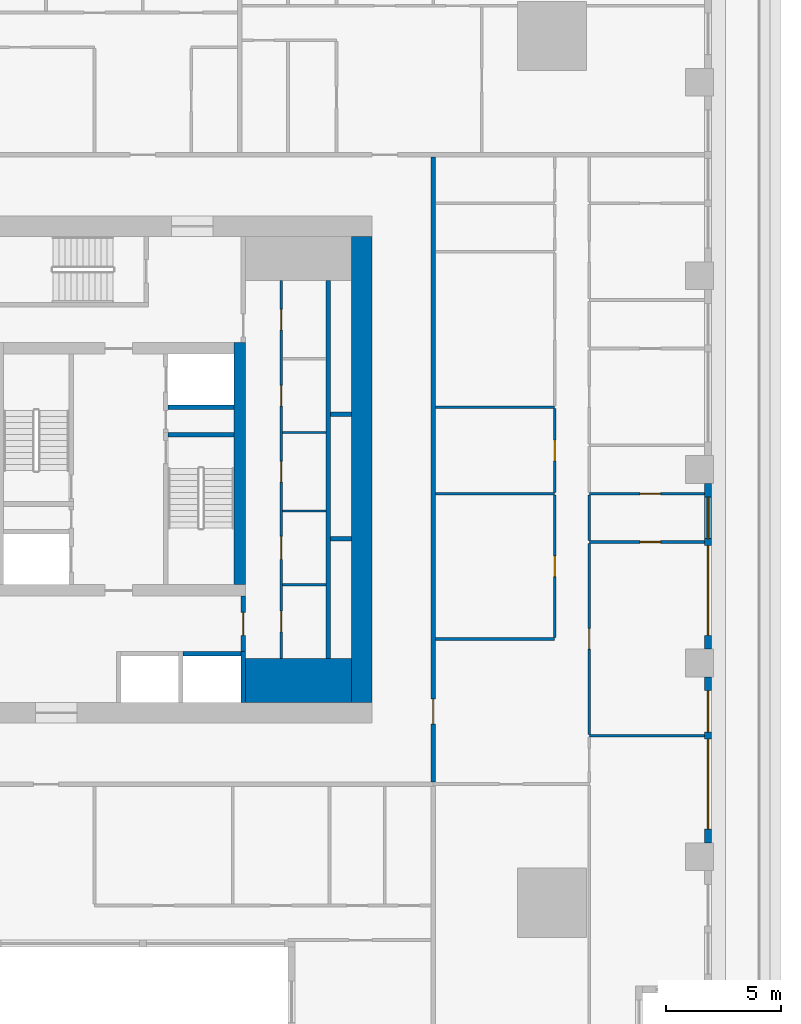
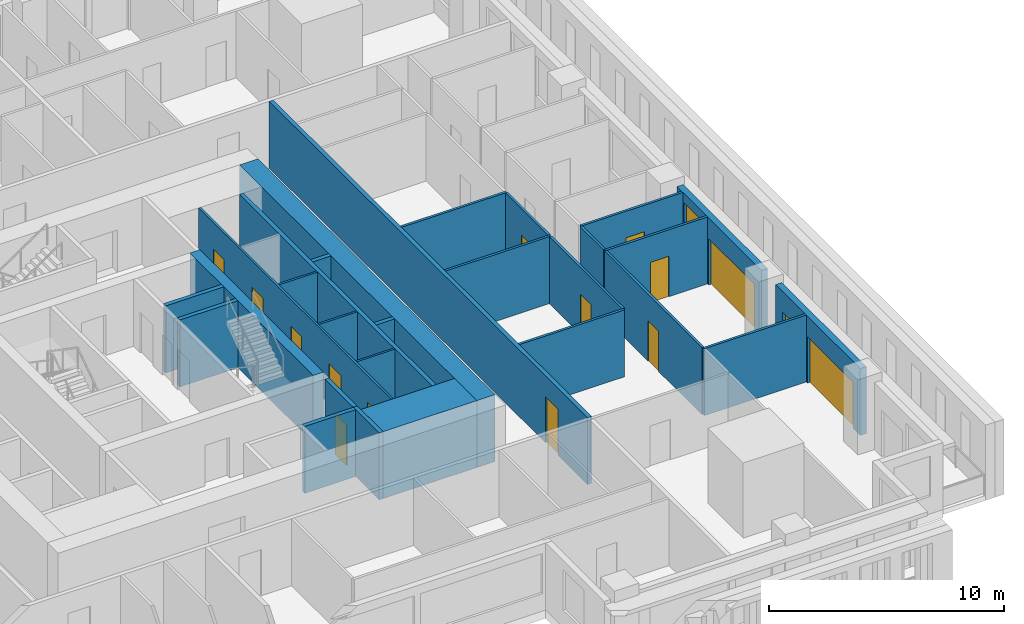
# One storey, part 5 of 15: 28 walls, 15 doors, 1 window, 16 openings.
"""IFC4 building model written with IfcOpenShell, lengths in metres."""

from ifc_helpers import new_model, si_unit, direction, frame, frame_2d, origin, place, context, subcontext, project, spatial, rectangle, extrude, material, layer, layer_set, type_object, element, fill, save


model = new_model("IFC4")

# Units and contexts
model_context = context("Model", 3, precision=1e-05, world=origin(), true_north=direction((0.0, 1.0)))
body_context = subcontext(model_context, "Body", "Model", "MODEL_VIEW")
ifc_project = project(units=[si_unit("LENGTHUNIT", "METRE"), si_unit("AREAUNIT", "SQUARE_METRE"), si_unit("VOLUMEUNIT", "CUBIC_METRE"), si_unit("PLANEANGLEUNIT", "RADIAN"), si_unit("MASSUNIT", "GRAM", prefix="KILO")], contexts=[model_context])

# Site, building, storey
site_placement = place(None, origin())
site = spatial("IfcSite", under=ifc_project, at=site_placement, CompositionType="ELEMENT")
building_placement = place(site_placement, origin())
building = spatial("IfcBuilding", under=site, at=building_placement, Name="Khepri Terraces", CompositionType="ELEMENT")
storey_placement = place(building_placement, frame((0.0, 0.0, 46.5)))
storey = spatial("IfcBuildingStorey", under=building, at=storey_placement, Name="L10", CompositionType="ELEMENT", Elevation=46.5)

# Walls
ifc_material_1 = material(Name="Concrete C80/95", Category="concrete")
ifc_layer_1 = layer(ifc_material_1, 1.89990234375, Name="Concrete C80/95", Category="concrete")
ifc_layer_set_1 = layer_set([ifc_layer_1], Name="Concrete C80/95")
wall_type_1 = type_object("IfcWallType", Name="Core wall 1900 C80/95", PredefinedType="SHEAR", material=ifc_layer_set_1)
wall_1_placement = place(storey_placement, frame((5.5, -9.14990234375, 0.0), z_axis=(0.0, 0.0, 1.0), x_axis=(1.0, 0.0, 0.0)))
element("IfcWall", 1, at=wall_1_placement, inside=storey, type_object=wall_type_1, Name="Core wall PR02 L10", PredefinedType="SHEAR", context=body_context, shape_type="SweptSolid", body=[
    extrude(rectangle(XDim=4.60009765625, YDim=1.89990234375, at=frame_2d((2.300048828125, 0.0))), origin(), (0.0, 0.0, 1.0), 3.47998046875),
])
ifc_layer_2 = layer(ifc_material_1, 0.199951171875, Name="Concrete C80/95", Category="concrete")
ifc_layer_set_2 = layer_set([ifc_layer_2], Name="Concrete C80/95")
wall_type_2 = type_object("IfcWallType", Name="Core wall 200 C80/95", PredefinedType="SHEAR", material=ifc_layer_set_2)
wall_2_placement = place(storey_placement, frame((2.14990234375, 1.5, 0.0), z_axis=(0.0, 0.0, 1.0), x_axis=(1.0, 0.0, 0.0)))
element("IfcWall", 2, at=wall_2_placement, inside=storey, type_object=wall_type_2, Name="Core wall ST04 L10", PredefinedType="SHEAR", context=body_context, shape_type="SweptSolid", body=[
    extrude(rectangle(XDim=2.85009765625, YDim=0.199951171875, at=frame_2d((1.425048828125, 0.0))), origin(), (0.0, 0.0, 1.0), 3.47998046875),
])
wall_3_placement = place(storey_placement, frame((5.39990234375, -10.10009765625, 0.0), z_axis=(0.0, 0.0, 1.0), x_axis=(0.0, 1.0, 0.0)))
element("IfcWall", 3, at=wall_3_placement, inside=storey, type_object=wall_type_2, Name="Core wall SH03 L10", PredefinedType="SHEAR", context=body_context, shape_type="SweptSolid", body=[
    extrude(rectangle(XDim=2.2001953125, YDim=0.199951171875, at=frame_2d((1.10009765625, 0.0))), origin(), (0.0, 0.0, 1.0), 3.47998046875),
])
wall_4_placement = place(storey_placement, frame((9.10009765625, -8.199951171875, 0.0), z_axis=(0.0, 0.0, 1.0), x_axis=(0.0, 1.0, 0.0)))
element("IfcWall", 4, at=wall_4_placement, inside=storey, type_object=wall_type_2, Name="Core wall SH05 L10", PredefinedType="SHEAR", context=body_context, shape_type="SweptSolid", body=[
    extrude(rectangle(XDim=16.39990234375, YDim=0.199951171875, at=frame_2d((8.199951171875, 0.0))), origin(), (0.0, 0.0, 1.0), 3.47998046875),
])
wall_5_placement = place(storey_placement, frame((2.800048828125, -8.0, 0.0), z_axis=(0.0, 0.0, 1.0), x_axis=(1.0, 0.0, 0.0)))
element("IfcWall", 5, at=wall_5_placement, inside=storey, type_object=wall_type_2, Name="Core wall SH07 L10", PredefinedType="SHEAR", context=body_context, shape_type="SweptSolid", body=[
    extrude(rectangle(XDim=2.5, YDim=0.199951171875, at=frame_2d((1.25, 0.0))), origin(), (0.0, 0.0, 1.0), 3.47998046875),
])
for number, where, z_axis, x_axis, name in (
    (6, (9.199951171875, -3.0, 0.0), (0.0, 0.0, 1.0), (1.0, 0.0, 0.0), "Core wall SH11 L10"),
    (7, (9.199951171875, 2.39990234375, 0.0), (0.0, 0.0, 1.0), (1.0, 0.0, 0.0), "Core wall SH16 L10"),
):
    element("IfcWall", number, at=place(storey_placement, frame(where, z_axis=z_axis, x_axis=x_axis)), inside=storey, type_object=wall_type_2, Name=name, PredefinedType="SHEAR", context=body_context, shape_type="SweptSolid", body=[
        extrude(rectangle(XDim=0.900146484375, YDim=0.199951171875, at=frame_2d((0.4501953125, 0.0))), origin(), (0.0, 0.0, 1.0), 3.47998046875),
    ])
wall_6_placement = place(storey_placement, frame((2.14990234375, 2.699951171875, 0.0), z_axis=(0.0, 0.0, 1.0), x_axis=(1.0, 0.0, 0.0)))
element("IfcWall", 8, at=wall_6_placement, inside=storey, type_object=wall_type_2, Name="Core wall SH18 L10", PredefinedType="SHEAR", context=body_context, shape_type="SweptSolid", body=[
    extrude(rectangle(XDim=2.85009765625, YDim=0.199951171875, at=frame_2d((1.425048828125, 0.0))), origin(), (0.0, 0.0, 1.0), 3.47998046875),
])
ifc_layer_3 = layer(ifc_material_1, 0.5, Name="Concrete C80/95", Category="concrete")
ifc_layer_set_3 = layer_set([ifc_layer_3], Name="Concrete C80/95")
wall_type_3 = type_object("IfcWallType", Name="Core wall 500 C80/95", PredefinedType="SHEAR", material=ifc_layer_set_3)
wall_7_placement = place(storey_placement, frame((5.25, -5.0, 0.0), z_axis=(0.0, 0.0, 1.0), x_axis=(0.0, 1.0, 0.0)))
element("IfcWall", 9, at=wall_7_placement, inside=storey, type_object=wall_type_3, Name="Core wall BX03 L10", PredefinedType="SHEAR", context=body_context, shape_type="SweptSolid", body=[
    extrude(rectangle(XDim=10.5, YDim=0.5, at=frame_2d((5.25, 0.0))), origin(), (0.0, 0.0, 1.0), 3.47998046875),
])
ifc_layer_4 = layer(ifc_material_1, 0.89990234375, Name="Concrete C80/95", Category="concrete")
ifc_layer_set_4 = layer_set([ifc_layer_4], Name="Concrete C80/95")
wall_type_4 = type_object("IfcWallType", Name="Core wall 900 C80/95", PredefinedType="SHEAR", material=ifc_layer_set_4)
wall_8_placement = place(storey_placement, frame((10.550048828125, -10.10009765625, 0.0), z_axis=(0.0, 0.0, 1.0), x_axis=(0.0, 1.0, 0.0)))
element("IfcWall", 10, at=wall_8_placement, inside=storey, type_object=wall_type_4, Name="Core wall OW-E L10", PredefinedType="SHEAR", context=body_context, shape_type="SweptSolid", body=[
    extrude(rectangle(XDim=20.2001953125, YDim=0.89990234375, at=frame_2d((10.10009765625, 0.0))), origin(), (0.0, 0.0, 1.0), 3.47998046875),
])

# Wall, openings, doors
ifc_material_2 = material(Name="Fire-rated gypsum board partition")
ifc_layer_5 = layer(ifc_material_2, 0.10009765625, Name="Fire-rated gypsum board partition")
ifc_layer_set_5 = layer_set([ifc_layer_5], Name="Fire-rated gypsum board partition")
wall_type_5 = type_object("IfcWallType", Name="WL-CORE-PART-100", PredefinedType="PARTITIONING", material=ifc_layer_set_5)
wall_9_placement = place(storey_placement, frame((7.050048828125, -8.199951171875, 0.0), z_axis=(0.0, 0.0, 1.0), x_axis=(0.0, 1.0, 0.0)))
wall_9 = element("IfcWall", 11, at=wall_9_placement, inside=storey, type_object=wall_type_5, Name="Core partition PT02 L10", PredefinedType="PARTITIONING", context=body_context, shape_type="SweptSolid", body=[
    extrude(rectangle(XDim=16.39990234375, YDim=0.10009765625, at=frame_2d((8.199951171875, 0.0))), origin(), (0.0, 0.0, 1.0), 3.47998046875),
])
opening_1_placement = place(wall_9_placement, frame((1.14990234375, 0.0, 0.0)))
opening_1 = element("IfcOpeningElement", 12, at=opening_1_placement, cuts=wall_9, Name="Opening L10-C22", PredefinedType="OPENING", context=body_context, shape_type="SweptSolid", body=[
    extrude(rectangle(XDim=0.89990234375, YDim=2.10009765625, at=frame_2d((0.449951171875, 1.050048828125))), frame((0.0, 0.06005859375, 0.0), z_axis=(0.0, -1.0, 0.0), x_axis=(1.0, 0.0, 0.0)), (0.0, 0.0, 1.0), 0.1201171875),
])
opening_2_placement = place(wall_9_placement, frame((4.300048828125, 0.0, 0.0)))
opening_2 = element("IfcOpeningElement", 13, at=opening_2_placement, cuts=wall_9, Name="Opening L10-C23", PredefinedType="OPENING", context=body_context, shape_type="SweptSolid", body=[
    extrude(rectangle(XDim=1.0, YDim=2.10009765625, at=frame_2d((0.5, 1.050048828125))), frame((0.0, 0.06005859375, 0.0), z_axis=(0.0, -1.0, 0.0), x_axis=(1.0, 0.0, 0.0)), (0.0, 0.0, 1.0), 0.1201171875),
])
opening_3_placement = place(wall_9_placement, frame((7.64990234375, 0.0, 0.0)))
opening_3 = element("IfcOpeningElement", 14, at=opening_3_placement, cuts=wall_9, Name="Opening L10-C24", PredefinedType="OPENING", context=body_context, shape_type="SweptSolid", body=[
    extrude(rectangle(XDim=0.89990234375, YDim=2.10009765625, at=frame_2d((0.449951171875, 1.050048828125))), frame((0.0, 0.06005859375, 0.0), z_axis=(0.0, -1.0, 0.0), x_axis=(1.0, 0.0, 0.0)), (0.0, 0.0, 1.0), 0.1201171875),
])
opening_4_placement = place(wall_9_placement, frame((10.949951171875, 0.0, 0.0)))
opening_4 = element("IfcOpeningElement", 15, at=opening_4_placement, cuts=wall_9, Name="Opening L10-C25", PredefinedType="OPENING", context=body_context, shape_type="SweptSolid", body=[
    extrude(rectangle(XDim=0.89990234375, YDim=2.10009765625, at=frame_2d((0.449951171875, 1.050048828125))), frame((0.0, 0.06005859375, 0.0), z_axis=(0.0, -1.0, 0.0), x_axis=(1.0, 0.0, 0.0)), (0.0, 0.0, 1.0), 0.1201171875),
])
opening_5_placement = place(wall_9_placement, frame((14.25, 0.0, 0.0)))
opening_5 = element("IfcOpeningElement", 16, at=opening_5_placement, cuts=wall_9, Name="Opening L10-C26", PredefinedType="OPENING", context=body_context, shape_type="SweptSolid", body=[
    extrude(rectangle(XDim=0.89990234375, YDim=2.10009765625, at=frame_2d((0.449951171875, 1.050048828125))), frame((0.0, 0.06005859375, 0.0), z_axis=(0.0, -1.0, 0.0), x_axis=(1.0, 0.0, 0.0)), (0.0, 0.0, 1.0), 0.1201171875),
])
ifc_material_3 = material(Name="Painted steel", Category="steel")
door_type_1 = type_object("IfcDoorType", Name="DR-CORE-SERVICE-900", OperationType="NOTDEFINED", PredefinedType="DOOR", material=ifc_material_3)
door_1_placement = place(opening_1_placement, frame((0.89990234375, 0.0, 0.0), z_axis=(0.0, 0.0, 1.0), x_axis=(-1.0, 0.0, 0.0)))
door_1 = element("IfcDoor", 17, at=door_1_placement, inside=storey, type_object=door_type_1, Name="Service room door L10-C22", OperationType="SINGLE_SWING_RIGHT", OverallHeight=2.10009765625, OverallWidth=0.89990234375, PredefinedType="DOOR", context=body_context, shape_type="SweptSolid", body=[
    extrude(rectangle(XDim=0.89990234375, YDim=2.10009765625, at=frame_2d((0.449951171875, 1.050048828125))), frame((0.0, 0.02490234375, 0.0), z_axis=(0.0, -1.0, 0.0), x_axis=(1.0, 0.0, 0.0)), (0.0, 0.0, 1.0), 0.050048828125),
])
fill(opening_1, door_1)
door_2_placement = place(opening_3_placement, frame((0.89990234375, 0.0, 0.0), z_axis=(0.0, 0.0, 1.0), x_axis=(-1.0, 0.0, 0.0)))
door_2 = element("IfcDoor", 18, at=door_2_placement, inside=storey, type_object=door_type_1, Name="Service room door L10-C24", OperationType="SINGLE_SWING_RIGHT", OverallHeight=2.10009765625, OverallWidth=0.89990234375, PredefinedType="DOOR", context=body_context, shape_type="SweptSolid", body=[
    extrude(rectangle(XDim=0.89990234375, YDim=2.10009765625, at=frame_2d((0.449951171875, 1.050048828125))), frame((0.0, 0.02490234375, 0.0), z_axis=(0.0, -1.0, 0.0), x_axis=(1.0, 0.0, 0.0)), (0.0, 0.0, 1.0), 0.050048828125),
])
fill(opening_3, door_2)
door_3_placement = place(opening_4_placement, frame((0.89990234375, 0.0, 0.0), z_axis=(0.0, 0.0, 1.0), x_axis=(-1.0, 0.0, 0.0)))
door_3 = element("IfcDoor", 19, at=door_3_placement, inside=storey, type_object=door_type_1, Name="Service room door L10-C25", OperationType="SINGLE_SWING_LEFT", OverallHeight=2.10009765625, OverallWidth=0.89990234375, PredefinedType="DOOR", context=body_context, shape_type="SweptSolid", body=[
    extrude(rectangle(XDim=0.89990234375, YDim=2.10009765625, at=frame_2d((0.449951171875, 1.050048828125))), frame((0.0, 0.02490234375, 0.0), z_axis=(0.0, -1.0, 0.0), x_axis=(1.0, 0.0, 0.0)), (0.0, 0.0, 1.0), 0.050048828125),
])
fill(opening_4, door_3)
door_4_placement = place(opening_5_placement, frame((0.89990234375, 0.0, 0.0), z_axis=(0.0, 0.0, 1.0), x_axis=(-1.0, 0.0, 0.0)))
door_4 = element("IfcDoor", 20, at=door_4_placement, inside=storey, type_object=door_type_1, Name="Service room door L10-C26", OperationType="SINGLE_SWING_LEFT", OverallHeight=2.10009765625, OverallWidth=0.89990234375, PredefinedType="DOOR", context=body_context, shape_type="SweptSolid", body=[
    extrude(rectangle(XDim=0.89990234375, YDim=2.10009765625, at=frame_2d((0.449951171875, 1.050048828125))), frame((0.0, 0.02490234375, 0.0), z_axis=(0.0, -1.0, 0.0), x_axis=(1.0, 0.0, 0.0)), (0.0, 0.0, 1.0), 0.050048828125),
])
fill(opening_5, door_4)
ifc_material_4 = material(Name="Timber veneer", Category="wood")
door_type_2 = type_object("IfcDoorType", Name="DR-CORE-WC-1000", OperationType="NOTDEFINED", PredefinedType="DOOR", material=ifc_material_4)
door_5_placement = place(opening_2_placement, frame((1.0, 0.0, 0.0), z_axis=(0.0, 0.0, 1.0), x_axis=(-1.0, 0.0, 0.0)))
door_5 = element("IfcDoor", 21, at=door_5_placement, inside=storey, type_object=door_type_2, Name="WC door L10-C23", OperationType="SINGLE_SWING_RIGHT", OverallHeight=2.10009765625, OverallWidth=1.0, PredefinedType="DOOR", context=body_context, shape_type="SweptSolid", body=[
    extrude(rectangle(XDim=1.0, YDim=2.10009765625, at=frame_2d((0.5, 1.050048828125))), frame((0.0, 0.02490234375, 0.0), z_axis=(0.0, -1.0, 0.0), x_axis=(1.0, 0.0, 0.0)), (0.0, 0.0, 1.0), 0.050048828125),
])
fill(opening_2, door_5)

# Walls
for number, where, z_axis, x_axis, name in (
    (22, (7.10009765625, -5.0, 0.0), (0.0, 0.0, 1.0), (1.0, 0.0, 0.0), "Core partition PT04 L10"),
    (23, (7.10009765625, -1.800048828125, 0.0), (0.0, 0.0, 1.0), (1.0, 0.0, 0.0), "Core partition PT05 L10"),
    (24, (7.10009765625, 1.60009765625, 0.0), (0.0, 0.0, 1.0), (1.0, 0.0, 0.0), "Core partition PT06 L10"),
):
    element("IfcWall", number, at=place(storey_placement, frame(where, z_axis=z_axis, x_axis=x_axis)), inside=storey, type_object=wall_type_5, Name=name, PredefinedType="PARTITIONING", context=body_context, shape_type="SweptSolid", body=[
        extrude(rectangle(XDim=1.89990234375, YDim=0.10009765625, at=frame_2d((0.949951171875, 0.0))), origin(), (0.0, 0.0, 1.0), 3.47998046875),
    ])

# Wall, opening, door
ifc_layer_6 = layer(ifc_material_2, 0.199951171875, Name="Fire-rated gypsum board partition")
ifc_layer_set_6 = layer_set([ifc_layer_6], Name="Fire-rated gypsum board partition")
wall_type_6 = type_object("IfcWallType", Name="WL-CORE-PART-200", PredefinedType="PARTITIONING", material=ifc_layer_set_6)
wall_10_placement = place(storey_placement, frame((5.39990234375, -7.89990234375, 0.0), z_axis=(0.0, 0.0, 1.0), x_axis=(0.0, 1.0, 0.0)))
wall_10 = element("IfcWall", 25, at=wall_10_placement, inside=storey, type_object=wall_type_6, Name="Core partition PT03 L10", PredefinedType="PARTITIONING", context=body_context, shape_type="SweptSolid", body=[
    extrude(rectangle(XDim=2.39990234375, YDim=0.199951171875, at=frame_2d((1.199951171875, 0.0))), origin(), (0.0, 0.0, 1.0), 3.47998046875),
])
opening_6_placement = place(wall_10_placement, frame((0.699951171875, 0.0, 0.0)))
opening_6 = element("IfcOpeningElement", 26, at=opening_6_placement, cuts=wall_10, Name="Opening L10-C19", PredefinedType="OPENING", context=body_context, shape_type="SweptSolid", body=[
    extrude(rectangle(XDim=1.0, YDim=2.10009765625, at=frame_2d((0.5, 1.050048828125))), frame((0.0, 0.10986328125, 0.0), z_axis=(0.0, -1.0, 0.0), x_axis=(1.0, 0.0, 0.0)), (0.0, 0.0, 1.0), 0.219970703125),
])
door_type_3 = type_object("IfcDoorType", Name="DR-CORE-LOBBY-1000", OperationType="NOTDEFINED", PredefinedType="DOOR", material=ifc_material_3)
door_6_placement = place(opening_6_placement, origin())
door_6 = element("IfcDoor", 27, at=door_6_placement, inside=storey, type_object=door_type_3, Name="Lobby door L10-C19", OperationType="SINGLE_SWING_RIGHT", OverallHeight=2.10009765625, OverallWidth=1.0, PredefinedType="DOOR", context=body_context, shape_type="SweptSolid", body=[
    extrude(rectangle(XDim=1.0, YDim=2.10009765625, at=frame_2d((0.5, 1.050048828125))), frame((0.0, 0.02490234375, 0.0), z_axis=(0.0, -1.0, 0.0), x_axis=(1.0, 0.0, 0.0)), (0.0, 0.0, 1.0), 0.050048828125),
])
fill(opening_6, door_6)

ifc_material_5 = material(Name="Fire-rated gypsum plasterboard partition, mineral wool")
ifc_layer_7 = layer(ifc_material_5, 0.199951171875, Name="Fire-rated gypsum plasterboard partition, mineral wool")
ifc_layer_set_7 = layer_set([ifc_layer_7], Name="Fire-rated gypsum plasterboard partition, mineral wool")
wall_type_7 = type_object("IfcWallType", Name="WL-CORR-200", PredefinedType="PARTITIONING", material=ifc_layer_set_7)
wall_11_placement = place(storey_placement, frame((13.64990234375, -13.550048828125, 0.0), z_axis=(0.0, 0.0, 1.0), x_axis=(0.0, 1.0, 0.0)))
wall_11 = element("IfcWall", 28, at=wall_11_placement, inside=storey, type_object=wall_type_7, Name="Partition P-024 L10", PredefinedType="PARTITIONING", context=body_context, shape_type="SweptSolid", body=[
    extrude(rectangle(XDim=27.10009765625, YDim=0.199951171875, at=frame_2d((13.550048828125, 0.0))), origin(), (0.0, 0.0, 1.0), 3.47998046875),
])
opening_7_placement = place(wall_11_placement, frame((2.5, 0.0, 0.0)))
opening_7 = element("IfcOpeningElement", 29, at=opening_7_placement, cuts=wall_11, Name="Opening D1", PredefinedType="OPENING", context=body_context, shape_type="SweptSolid", body=[
    extrude(rectangle(XDim=1.10009765625, YDim=2.39990234375, at=frame_2d((0.550048828125, 1.199951171875))), frame((0.0, 0.10986328125, 0.0), z_axis=(0.0, -1.0, 0.0), x_axis=(1.0, 0.0, 0.0)), (0.0, 0.0, 1.0), 0.219970703125),
])
ifc_material_6 = material(Name="Solid-core timber door leaf, flat entrance door", Category="wood")
door_type_4 = type_object("IfcDoorType", Name="DR-ENT-1100", OperationType="NOTDEFINED", PredefinedType="DOOR", material=ifc_material_6)
door_7_placement = place(opening_7_placement, frame((1.10009765625, 0.0, 0.0), z_axis=(0.0, 0.0, 1.0), x_axis=(-1.0, 0.0, 0.0)))
door_7 = element("IfcDoor", 30, at=door_7_placement, inside=storey, type_object=door_type_4, Name="Flat B1 entrance door", OperationType="SINGLE_SWING_RIGHT", OverallHeight=2.39990234375, OverallWidth=1.10009765625, PredefinedType="DOOR", context=body_context, shape_type="SweptSolid", body=[
    extrude(rectangle(XDim=1.10009765625, YDim=2.39990234375, at=frame_2d((0.550048828125, 1.199951171875))), frame((0.0, 0.02490234375, 0.0), z_axis=(0.0, -1.0, 0.0), x_axis=(1.0, 0.0, 0.0)), (0.0, 0.0, 1.0), 0.050048828125),
])
fill(opening_7, door_7)

# Wall, openings, doors
ifc_material_7 = material(Name="Precast concrete C50/60 warm stone", Category="masonry")
ifc_layer_8 = layer(ifc_material_7, 0.300048828125, Name="Precast concrete C50/60 warm stone", Category="masonry")
ifc_layer_set_8 = layer_set([ifc_layer_8], Name="Precast concrete C50/60 warm stone")
wall_type_8 = type_object("IfcWallType", Name="WL-EXT-PRECAST-300", PredefinedType="STANDARD", material=ifc_layer_set_8)
wall_12_placement = place(storey_placement, frame((25.570068359375, -16.199951171875, 0.0), z_axis=(0.0, 0.0, 1.0), x_axis=(0.0, 1.0, 0.0)))
wall_12 = element("IfcWall", 31, at=wall_12_placement, inside=storey, type_object=wall_type_8, Name="External wall L10 E", PredefinedType="STANDARD", context=body_context, shape_type="SweptSolid", body=[
    extrude(rectangle(XDim=7.199951171875, YDim=0.300048828125, at=frame_2d((3.60009765625, 0.0))), origin(), (0.0, 0.0, 1.0), 3.47998046875),
])
opening_8_placement = place(wall_12_placement, frame((0.60009765625, 0.0, 0.0)))
opening_8 = element("IfcOpeningElement", 32, at=opening_8_placement, cuts=wall_12, Name="Opening ED-L10-02", PredefinedType="OPENING", context=body_context, shape_type="SweptSolid", body=[
    extrude(rectangle(XDim=3.89990234375, YDim=2.39990234375, at=frame_2d((1.949951171875, 1.199951171875))), frame((0.0, 0.16015625, 0.0), z_axis=(0.0, -1.0, 0.0), x_axis=(1.0, 0.0, 0.0)), (0.0, 0.0, 1.0), 0.320068359375),
])
opening_9_placement = place(wall_12_placement, frame((4.800048828125, 0.0, 0.0)))
opening_9 = element("IfcOpeningElement", 33, at=opening_9_placement, cuts=wall_12, Name="Opening ED-L10-03", PredefinedType="OPENING", context=body_context, shape_type="SweptSolid", body=[
    extrude(rectangle(XDim=1.800048828125, YDim=2.39990234375, at=frame_2d((0.89990234375, 1.199951171875))), frame((0.0, 0.16015625, 0.0), z_axis=(0.0, -1.0, 0.0), x_axis=(1.0, 0.0, 0.0)), (0.0, 0.0, 1.0), 0.320068359375),
])
ifc_material_8 = material(Name="Anodised aluminium bronze glazed door", Category="aluminium")
door_type_5 = type_object("IfcDoorType", Name="DR-BAL-SLIDE-1800x2400", OperationType="NOTDEFINED", PredefinedType="DOOR", material=ifc_material_8)
door_8_placement = place(opening_9_placement, origin())
door_8 = element("IfcDoor", 34, at=door_8_placement, inside=storey, type_object=door_type_5, Name="Balcony door L10 E", OperationType="SLIDING_TO_RIGHT", OverallHeight=2.39990234375, OverallWidth=1.800048828125, PredefinedType="DOOR", context=body_context, shape_type="SweptSolid", body=[
    extrude(rectangle(XDim=1.800048828125, YDim=2.39990234375, at=frame_2d((0.89990234375, 1.199951171875))), frame((0.0, 0.02490234375, 0.0), z_axis=(0.0, -1.0, 0.0), x_axis=(1.0, 0.0, 0.0)), (0.0, 0.0, 1.0), 0.050048828125),
])
fill(opening_9, door_8)
door_type_6 = type_object("IfcDoorType", Name="DR-BAL-SLIDE-3900x2400", OperationType="NOTDEFINED", PredefinedType="DOOR", material=ifc_material_8)
door_9_placement = place(opening_8_placement, origin())
door_9 = element("IfcDoor", 35, at=door_9_placement, inside=storey, type_object=door_type_6, Name="Balcony door L10 E", OperationType="SLIDING_TO_LEFT", OverallHeight=2.39990234375, OverallWidth=3.89990234375, PredefinedType="DOOR", context=body_context, shape_type="SweptSolid", body=[
    extrude(rectangle(XDim=3.89990234375, YDim=2.39990234375, at=frame_2d((1.949951171875, 1.199951171875))), frame((0.0, 0.02490234375, 0.0), z_axis=(0.0, -1.0, 0.0), x_axis=(1.0, 0.0, 0.0)), (0.0, 0.0, 1.0), 0.050048828125),
])
fill(opening_8, door_9)

# Wall, openings, door, window
wall_13_placement = place(storey_placement, frame((25.570068359375, -7.800048828125, 0.0), z_axis=(0.0, 0.0, 1.0), x_axis=(0.0, 1.0, 0.0)))
wall_13 = element("IfcWall", 36, at=wall_13_placement, inside=storey, type_object=wall_type_8, Name="External wall L10 E", PredefinedType="STANDARD", context=body_context, shape_type="SweptSolid", body=[
    extrude(rectangle(XDim=7.199951171875, YDim=0.300048828125, at=frame_2d((3.60009765625, 0.0))), origin(), (0.0, 0.0, 1.0), 3.47998046875),
])
opening_10_placement = place(wall_13_placement, frame((0.60009765625, 0.0, 0.0)))
opening_10 = element("IfcOpeningElement", 37, at=opening_10_placement, cuts=wall_13, Name="Opening ED-L10-04", PredefinedType="OPENING", context=body_context, shape_type="SweptSolid", body=[
    extrude(rectangle(XDim=3.89990234375, YDim=2.39990234375, at=frame_2d((1.949951171875, 1.199951171875))), frame((0.0, 0.16015625, 0.0), z_axis=(0.0, -1.0, 0.0), x_axis=(1.0, 0.0, 0.0)), (0.0, 0.0, 1.0), 0.320068359375),
])
opening_11_placement = place(wall_13_placement, frame((4.800048828125, 0.0, 0.89990234375)))
opening_11 = element("IfcOpeningElement", 38, at=opening_11_placement, cuts=wall_13, Name="Opening W1", PredefinedType="OPENING", context=body_context, shape_type="SweptSolid", body=[
    extrude(rectangle(XDim=1.800048828125, YDim=2.10009765625, at=frame_2d((0.89990234375, 1.050048828125))), frame((0.0, 0.16015625, 0.0), z_axis=(0.0, -1.0, 0.0), x_axis=(1.0, 0.0, 0.0)), (0.0, 0.0, 1.0), 0.320068359375),
])
door_10_placement = place(opening_10_placement, origin())
door_10 = element("IfcDoor", 39, at=door_10_placement, inside=storey, type_object=door_type_6, Name="Balcony door L10 E", OperationType="SLIDING_TO_LEFT", OverallHeight=2.39990234375, OverallWidth=3.89990234375, PredefinedType="DOOR", context=body_context, shape_type="SweptSolid", body=[
    extrude(rectangle(XDim=3.89990234375, YDim=2.39990234375, at=frame_2d((1.949951171875, 1.199951171875))), frame((0.0, 0.02490234375, 0.0), z_axis=(0.0, -1.0, 0.0), x_axis=(1.0, 0.0, 0.0)), (0.0, 0.0, 1.0), 0.050048828125),
])
fill(opening_10, door_10)
ifc_material_9 = material(Name="Clear glass", Category="glass")
window_type = type_object("IfcWindowType", Name="WIN-RES-1800x2100", PartitioningType="SINGLE_PANEL", PredefinedType="WINDOW", material=ifc_material_9)
window_placement = place(opening_11_placement, origin())
window = element("IfcWindow", 40, at=window_placement, inside=storey, type_object=window_type, Name="Window L10 E", OverallHeight=2.10009765625, OverallWidth=1.800048828125, PartitioningType="SINGLE_PANEL", PredefinedType="WINDOW", context=body_context, shape_type="SweptSolid", body=[
    extrude(rectangle(XDim=1.800048828125, YDim=2.10009765625, at=frame_2d((0.89990234375, 1.050048828125))), frame((0.0, 0.030029296875, 0.0), z_axis=(0.0, -1.0, 0.0), x_axis=(1.0, 0.0, 0.0)), (0.0, 0.0, 1.0), 0.06005859375),
])
fill(opening_11, window)

# Wall
ifc_material_10 = material(Name="Gypsum plasterboard partition")
ifc_layer_9 = layer(ifc_material_10, 0.1201171875, Name="Gypsum plasterboard partition")
ifc_layer_set_9 = layer_set([ifc_layer_9], Name="Gypsum plasterboard partition")
wall_type_9 = type_object("IfcWallType", Name="WL-PART-120", PredefinedType="PARTITIONING", material=ifc_layer_set_9)
wall_14_placement = place(storey_placement, frame((20.419921875, -11.550048828125, 0.0), z_axis=(0.0, 0.0, 1.0), x_axis=(1.0, 0.0, 0.0)))
element("IfcWall", 41, at=wall_14_placement, inside=storey, type_object=wall_type_9, Name="Partition P-026 L10", PredefinedType="PARTITIONING", context=body_context, shape_type="SweptSolid", body=[
    extrude(rectangle(XDim=5.0, YDim=0.1201171875, at=frame_2d((2.5, 0.0))), origin(), (0.0, 0.0, 1.0), 3.47998046875),
])

# Wall, opening, door
wall_15_placement = place(storey_placement, frame((20.419921875, -11.489990234375, 0.0), z_axis=(0.0, 0.0, 1.0), x_axis=(0.0, 1.0, 0.0)))
wall_15 = element("IfcWall", 42, at=wall_15_placement, inside=storey, type_object=wall_type_9, Name="Partition P-028 L10", PredefinedType="PARTITIONING", context=body_context, shape_type="SweptSolid", body=[
    extrude(rectangle(XDim=8.280029296875, YDim=0.1201171875, at=frame_2d((4.14013671875, 0.0))), origin(), (0.0, 0.0, 1.0), 3.47998046875),
])
opening_12_placement = place(wall_15_placement, frame((3.68994140625, 0.0, 0.0)))
opening_12 = element("IfcOpeningElement", 43, at=opening_12_placement, cuts=wall_15, Name="Opening D3", PredefinedType="OPENING", context=body_context, shape_type="SweptSolid", body=[
    extrude(rectangle(XDim=0.89990234375, YDim=2.10009765625, at=frame_2d((0.449951171875, 1.050048828125))), frame((0.0, 0.070068359375, 0.0), z_axis=(0.0, -1.0, 0.0), x_axis=(1.0, 0.0, 0.0)), (0.0, 0.0, 1.0), 0.14013671875),
])
ifc_material_11 = material(Name="Timber door leaf", Category="wood")
door_type_7 = type_object("IfcDoorType", Name="DR-INT-900", OperationType="NOTDEFINED", PredefinedType="DOOR", material=ifc_material_11)
door_11_placement = place(opening_12_placement, frame((0.89990234375, 0.0, 0.0), z_axis=(0.0, 0.0, 1.0), x_axis=(-1.0, 0.0, 0.0)))
door_11 = element("IfcDoor", 44, at=door_11_placement, inside=storey, type_object=door_type_7, Name="Door Master Bedroom", OperationType="SINGLE_SWING_RIGHT", OverallHeight=2.10009765625, OverallWidth=0.89990234375, PredefinedType="DOOR", context=body_context, shape_type="SweptSolid", body=[
    extrude(rectangle(XDim=0.89990234375, YDim=2.10009765625, at=frame_2d((0.449951171875, 1.050048828125))), frame((0.0, 0.02490234375, 0.0), z_axis=(0.0, -1.0, 0.0), x_axis=(1.0, 0.0, 0.0)), (0.0, 0.0, 1.0), 0.050048828125),
])
fill(opening_12, door_11)

# Wall
wall_16_placement = place(storey_placement, frame((13.75, -7.35009765625, 0.0), z_axis=(0.0, 0.0, 1.0), x_axis=(1.0, 0.0, 0.0)))
element("IfcWall", 45, at=wall_16_placement, inside=storey, type_object=wall_type_9, Name="Partition P-033 L10", PredefinedType="PARTITIONING", context=body_context, shape_type="SweptSolid", body=[
    extrude(rectangle(XDim=5.169921875, YDim=0.1201171875, at=frame_2d((2.5849609375, 0.0))), origin(), (0.0, 0.0, 1.0), 3.47998046875),
])

# Wall, opening, door
wall_17_placement = place(storey_placement, frame((18.919921875, -7.2900390625, 0.0), z_axis=(0.0, 0.0, 1.0), x_axis=(0.0, 1.0, 0.0)))
wall_17 = element("IfcWall", 46, at=wall_17_placement, inside=storey, type_object=wall_type_9, Name="Partition P-036 L10", PredefinedType="PARTITIONING", context=body_context, shape_type="SweptSolid", body=[
    extrude(rectangle(XDim=6.179931640625, YDim=0.1201171875, at=frame_2d((3.08984375, 0.0))), origin(), (0.0, 0.0, 1.0), 3.47998046875),
])
opening_13_placement = place(wall_17_placement, frame((2.639892578125, 0.0, 0.0)))
opening_13 = element("IfcOpeningElement", 47, at=opening_13_placement, cuts=wall_17, Name="Opening D3", PredefinedType="OPENING", context=body_context, shape_type="SweptSolid", body=[
    extrude(rectangle(XDim=0.89990234375, YDim=2.10009765625, at=frame_2d((0.449951171875, 1.050048828125))), frame((0.0, 0.070068359375, 0.0), z_axis=(0.0, -1.0, 0.0), x_axis=(1.0, 0.0, 0.0)), (0.0, 0.0, 1.0), 0.14013671875),
])
door_12_placement = place(opening_13_placement, origin())
door_12 = element("IfcDoor", 48, at=door_12_placement, inside=storey, type_object=door_type_7, Name="Door Kitchen", OperationType="SINGLE_SWING_RIGHT", OverallHeight=2.10009765625, OverallWidth=0.89990234375, PredefinedType="DOOR", context=body_context, shape_type="SweptSolid", body=[
    extrude(rectangle(XDim=0.89990234375, YDim=2.10009765625, at=frame_2d((0.449951171875, 1.050048828125))), frame((0.0, 0.02490234375, 0.0), z_axis=(0.0, -1.0, 0.0), x_axis=(1.0, 0.0, 0.0)), (0.0, 0.0, 1.0), 0.050048828125),
])
fill(opening_13, door_12)

wall_18_placement = place(storey_placement, frame((20.419921875, -3.14990234375, 0.0), z_axis=(0.0, 0.0, 1.0), x_axis=(1.0, 0.0, 0.0)))
wall_18 = element("IfcWall", 49, at=wall_18_placement, inside=storey, type_object=wall_type_9, Name="Partition P-040 L10", PredefinedType="PARTITIONING", context=body_context, shape_type="SweptSolid", body=[
    extrude(rectangle(XDim=5.0, YDim=0.1201171875, at=frame_2d((2.5, 0.0))), origin(), (0.0, 0.0, 1.0), 3.47998046875),
])
opening_14_placement = place(wall_18_placement, frame((2.199951171875, 0.0, 0.0)))
opening_14 = element("IfcOpeningElement", 50, at=opening_14_placement, cuts=wall_18, Name="Opening D3", PredefinedType="OPENING", context=body_context, shape_type="SweptSolid", body=[
    extrude(rectangle(XDim=0.89990234375, YDim=2.10009765625, at=frame_2d((0.449951171875, 1.050048828125))), frame((0.0, 0.070068359375, 0.0), z_axis=(0.0, -1.0, 0.0), x_axis=(1.0, 0.0, 0.0)), (0.0, 0.0, 1.0), 0.14013671875),
])
door_13_placement = place(opening_14_placement, origin())
door_13 = element("IfcDoor", 51, at=door_13_placement, inside=storey, type_object=door_type_7, Name="Door Dressing Room", OperationType="SINGLE_SWING_RIGHT", OverallHeight=2.10009765625, OverallWidth=0.89990234375, PredefinedType="DOOR", context=body_context, shape_type="SweptSolid", body=[
    extrude(rectangle(XDim=0.89990234375, YDim=2.10009765625, at=frame_2d((0.449951171875, 1.050048828125))), frame((0.0, 0.02490234375, 0.0), z_axis=(0.0, -1.0, 0.0), x_axis=(1.0, 0.0, 0.0)), (0.0, 0.0, 1.0), 0.050048828125),
])
fill(opening_14, door_13)

# Walls
wall_19_placement = place(storey_placement, frame((20.419921875, -3.090087890625, 0.0), z_axis=(0.0, 0.0, 1.0), x_axis=(0.0, 1.0, 0.0)))
element("IfcWall", 52, at=wall_19_placement, inside=storey, type_object=wall_type_9, Name="Partition P-042 L10", PredefinedType="PARTITIONING", context=body_context, shape_type="SweptSolid", body=[
    extrude(rectangle(XDim=1.97998046875, YDim=0.1201171875, at=frame_2d((0.989990234375, 0.0))), origin(), (0.0, 0.0, 1.0), 3.47998046875),
])
wall_20_placement = place(storey_placement, frame((13.75, -1.050048828125, 0.0), z_axis=(0.0, 0.0, 1.0), x_axis=(1.0, 0.0, 0.0)))
element("IfcWall", 53, at=wall_20_placement, inside=storey, type_object=wall_type_9, Name="Partition P-045 L10", PredefinedType="PARTITIONING", context=body_context, shape_type="SweptSolid", body=[
    extrude(rectangle(XDim=5.169921875, YDim=0.1201171875, at=frame_2d((2.5849609375, 0.0))), origin(), (0.0, 0.0, 1.0), 3.47998046875),
])

# Wall, opening, door
wall_21_placement = place(storey_placement, frame((20.419921875, -1.050048828125, 0.0), z_axis=(0.0, 0.0, 1.0), x_axis=(1.0, 0.0, 0.0)))
wall_21 = element("IfcWall", 54, at=wall_21_placement, inside=storey, type_object=wall_type_9, Name="Partition P-046 L10", PredefinedType="PARTITIONING", context=body_context, shape_type="SweptSolid", body=[
    extrude(rectangle(XDim=5.0, YDim=0.1201171875, at=frame_2d((2.5, 0.0))), origin(), (0.0, 0.0, 1.0), 3.47998046875),
])
opening_15_placement = place(wall_21_placement, frame((2.199951171875, 0.0, 0.0)))
opening_15 = element("IfcOpeningElement", 55, at=opening_15_placement, cuts=wall_21, Name="Opening D4", PredefinedType="OPENING", context=body_context, shape_type="SweptSolid", body=[
    extrude(rectangle(XDim=0.89990234375, YDim=2.10009765625, at=frame_2d((0.449951171875, 1.050048828125))), frame((0.0, 0.070068359375, 0.0), z_axis=(0.0, -1.0, 0.0), x_axis=(1.0, 0.0, 0.0)), (0.0, 0.0, 1.0), 0.14013671875),
])
ifc_material_12 = material(Name="Timber door leaf, moisture resistant", Category="wood")
door_type_8 = type_object("IfcDoorType", Name="DR-WET-900", OperationType="NOTDEFINED", PredefinedType="DOOR", material=ifc_material_12)
door_14_placement = place(opening_15_placement, origin())
door_14 = element("IfcDoor", 56, at=door_14_placement, inside=storey, type_object=door_type_8, Name="Door Bathroom", OperationType="SINGLE_SWING_RIGHT", OverallHeight=2.10009765625, OverallWidth=0.89990234375, PredefinedType="DOOR", context=body_context, shape_type="SweptSolid", body=[
    extrude(rectangle(XDim=0.89990234375, YDim=2.10009765625, at=frame_2d((0.449951171875, 1.050048828125))), frame((0.0, 0.02490234375, 0.0), z_axis=(0.0, -1.0, 0.0), x_axis=(1.0, 0.0, 0.0)), (0.0, 0.0, 1.0), 0.050048828125),
])
fill(opening_15, door_14)

wall_22_placement = place(storey_placement, frame((18.919921875, -0.989990234375, 0.0), z_axis=(0.0, 0.0, 1.0), x_axis=(0.0, 1.0, 0.0)))
wall_22 = element("IfcWall", 57, at=wall_22_placement, inside=storey, type_object=wall_type_9, Name="Partition P-047 L10", PredefinedType="PARTITIONING", context=body_context, shape_type="SweptSolid", body=[
    extrude(rectangle(XDim=3.6298828125, YDim=0.1201171875, at=frame_2d((1.81494140625, 0.0))), origin(), (0.0, 0.0, 1.0), 3.47998046875),
])
opening_16_placement = place(wall_22_placement, frame((1.364990234375, 0.0, 0.0)))
opening_16 = element("IfcOpeningElement", 58, at=opening_16_placement, cuts=wall_22, Name="Opening D3", PredefinedType="OPENING", context=body_context, shape_type="SweptSolid", body=[
    extrude(rectangle(XDim=0.89990234375, YDim=2.10009765625, at=frame_2d((0.449951171875, 1.050048828125))), frame((0.0, 0.070068359375, 0.0), z_axis=(0.0, -1.0, 0.0), x_axis=(1.0, 0.0, 0.0)), (0.0, 0.0, 1.0), 0.14013671875),
])
door_15_placement = place(opening_16_placement, origin())
door_15 = element("IfcDoor", 59, at=door_15_placement, inside=storey, type_object=door_type_7, Name="Door Service Store", OperationType="SINGLE_SWING_RIGHT", OverallHeight=2.10009765625, OverallWidth=0.89990234375, PredefinedType="DOOR", context=body_context, shape_type="SweptSolid", body=[
    extrude(rectangle(XDim=0.89990234375, YDim=2.10009765625, at=frame_2d((0.449951171875, 1.050048828125))), frame((0.0, 0.02490234375, 0.0), z_axis=(0.0, -1.0, 0.0), x_axis=(1.0, 0.0, 0.0)), (0.0, 0.0, 1.0), 0.050048828125),
])
fill(opening_16, door_15)

# Wall
wall_23_placement = place(storey_placement, frame((13.75, 2.699951171875, 0.0), z_axis=(0.0, 0.0, 1.0), x_axis=(1.0, 0.0, 0.0)))
element("IfcWall", 60, at=wall_23_placement, inside=storey, type_object=wall_type_9, Name="Partition P-051 L10", PredefinedType="PARTITIONING", context=body_context, shape_type="SweptSolid", body=[
    extrude(rectangle(XDim=5.169921875, YDim=0.1201171875, at=frame_2d((2.5849609375, 0.0))), origin(), (0.0, 0.0, 1.0), 3.47998046875),
])

save(model, "model.ifc")
